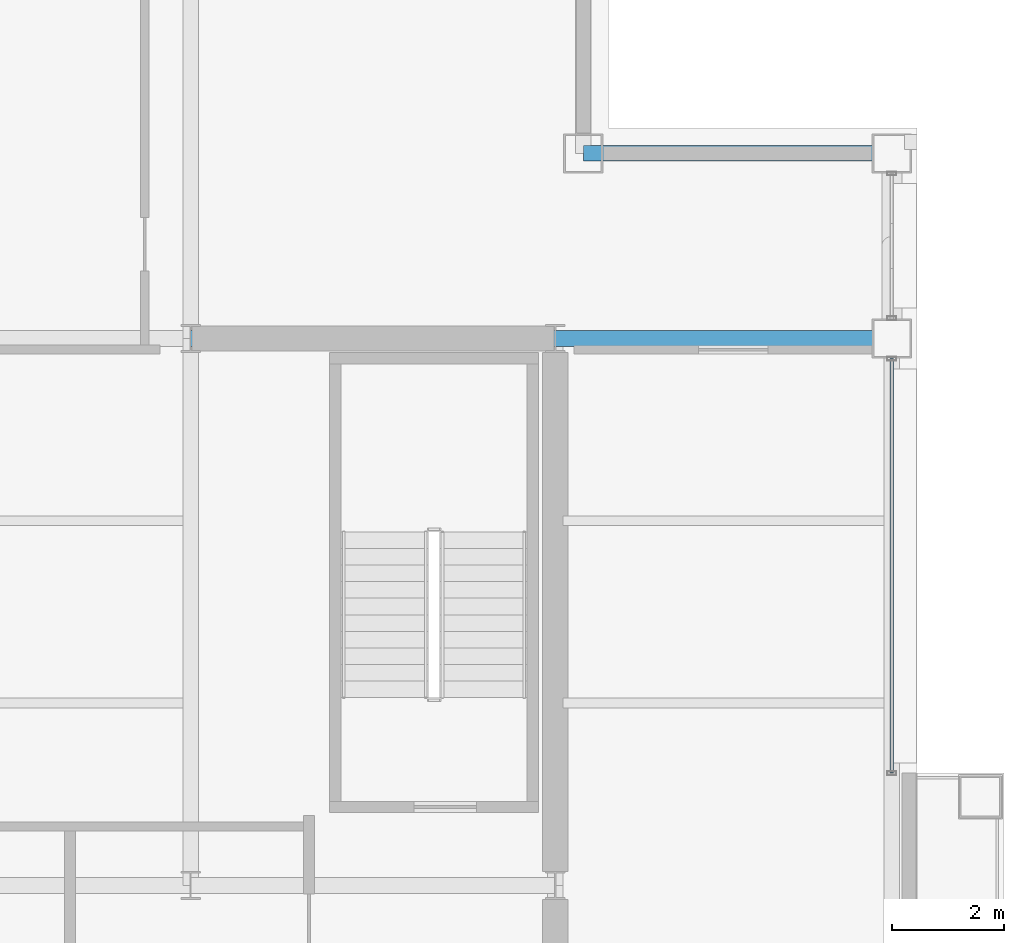
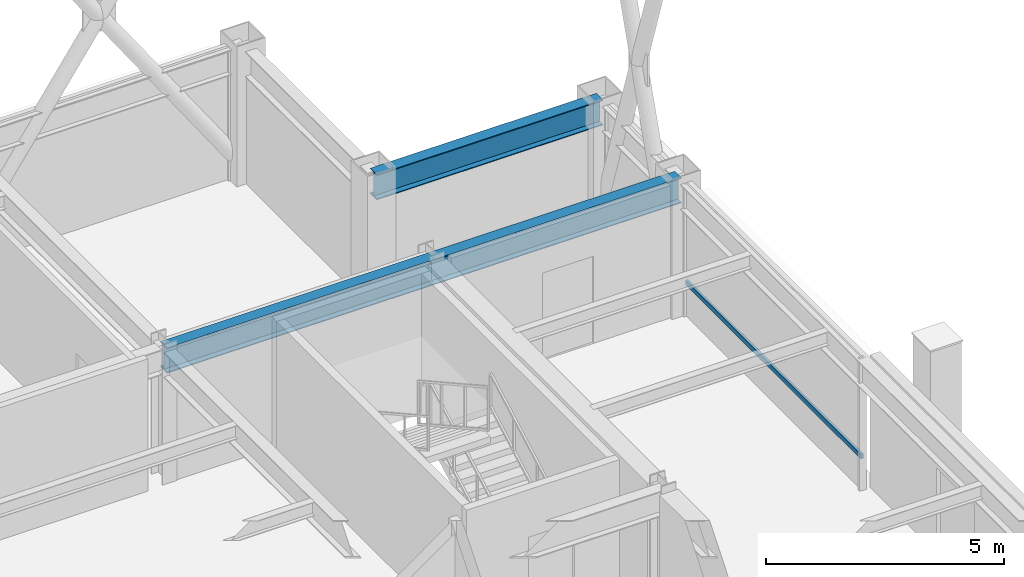
# One storey, part 19 of 33: 3 beams, 1 member, 1 element without a shape of its own.
"""IFC4 building model written with IfcOpenShell, lengths in metres."""

from ifc_helpers import new_model, si_unit, direction, frame, origin, origin_2d, place, context, subcontext, project, spatial, hollow_rectangle, i_section, extrude, material, layer, layer_set, material_profile, profile_set, type_object, element, aggregate, save


model = new_model("IFC4")

# Units and contexts
model_context = context("Model", 3, precision=1e-05, world=origin(), true_north=direction((0.0, 1.0)))
body_context = subcontext(model_context, "Body", "Model", "MODEL_VIEW")
ifc_project = project(units=[si_unit("LENGTHUNIT", "METRE"), si_unit("AREAUNIT", "SQUARE_METRE"), si_unit("VOLUMEUNIT", "CUBIC_METRE"), si_unit("PLANEANGLEUNIT", "RADIAN"), si_unit("MASSUNIT", "GRAM", prefix="KILO")], contexts=[model_context])

# Site, building, storey
site_placement = place(None, origin())
site = spatial("IfcSite", under=ifc_project, at=site_placement, CompositionType="ELEMENT")
building_placement = place(site_placement, origin())
building = spatial("IfcBuilding", under=site, at=building_placement, Name="Brelmoor Portico Tower", CompositionType="ELEMENT")
storey_placement = place(building_placement, frame((0.0, 0.0, 194.699951171875)))
storey = spatial("IfcBuildingStorey", under=building, at=storey_placement, Name="L51", CompositionType="ELEMENT", Elevation=194.699951171875)

# Beams
ifc_material_1 = material(Name="Steel Q355B", Category="steel")
ifc_material_profile_1 = material_profile(ifc_material_1, i_section(OverallWidth=0.280029296875, OverallDepth=0.64990234375, WebThickness=0.012939453125, FlangeThickness=0.02197265625, at=origin_2d()), Name="HN 650x280x13x22")
ifc_profile_set_1 = profile_set([ifc_material_profile_1], Name="Steel Q355B")
beam_type_1 = type_object("IfcBeamType", Name="BM-PG-650", PredefinedType="BEAM", material=ifc_profile_set_1)
beam_1_placement = place(storey_placement, frame((8.050048828125, 9.75, 3.074951171875), z_axis=(1.0, 0.0, 0.0), x_axis=(0.0, 1.0, 0.0)))
element("IfcBeam", 1, at=beam_1_placement, inside=storey, type_object=beam_type_1, Name="L51 Primary Floor Girder PG-22", PredefinedType="BEAM", context=body_context, shape_type="SweptSolid", body=[
    extrude(i_section(OverallWidth=0.280029296875, OverallDepth=0.64990234375, WebThickness=0.012939453125, FlangeThickness=0.02197265625, at=origin_2d()), origin(), (0.0, 0.0, 1.0), 6.5),
])
beam_2_placement = place(storey_placement, frame((14.550048828125, 9.75, 3.074951171875), z_axis=(1.0, 0.0, 0.0), x_axis=(0.0, 1.0, 0.0)))
element("IfcBeam", 2, at=beam_2_placement, inside=storey, type_object=beam_type_1, Name="L51 Primary Floor Girder PG-23", PredefinedType="BEAM", context=body_context, shape_type="SweptSolid", body=[
    extrude(i_section(OverallWidth=0.280029296875, OverallDepth=0.64990234375, WebThickness=0.012939453125, FlangeThickness=0.02197265625, at=origin_2d()), origin(), (0.0, 0.0, 1.0), 6.0),
])
ifc_material_profile_2 = material_profile(ifc_material_1, i_section(OverallWidth=0.280029296875, OverallDepth=0.64990234375, WebThickness=0.012939453125, FlangeThickness=0.02197265625, at=origin_2d()), Name="HN 650x280x13x22")
ifc_profile_set_2 = profile_set([ifc_material_profile_2], Name="Steel Q355B")
beam_type_2 = type_object("IfcBeamType", Name="BM-SP-650", PredefinedType="SPANDREL", material=ifc_profile_set_2)
beam_3_placement = place(storey_placement, frame((15.050048828125, 13.050048828125, 3.074951171875), z_axis=(1.0, 0.0, 0.0), x_axis=(0.0, 1.0, 0.0)))
element("IfcBeam", 3, at=beam_3_placement, inside=storey, type_object=beam_type_2, Name="L51 Perimeter Spandrel Beam SP-07", PredefinedType="SPANDREL", context=body_context, shape_type="SweptSolid", body=[
    extrude(i_section(OverallWidth=0.280029296875, OverallDepth=0.64990234375, WebThickness=0.012939453125, FlangeThickness=0.02197265625, at=origin_2d()), origin(), (0.0, 0.0, 1.0), 5.5),
])

# Curtain wall, member
ifc_material_2 = material(Name="Anodised Aluminium Alloy 6063-T6", Category="aluminium")
ifc_layer = layer(ifc_material_2, 0.179931640625)
ifc_layer_set = layer_set([ifc_layer], Name="Anodised Aluminium Alloy 6063-T6")
curtain_wall_type = type_object("IfcCurtainWallType", Name="CW-TOWER-Z3", PredefinedType="NOTDEFINED", material=ifc_layer_set)
curtain_wall_placement = place(storey_placement, origin())
curtain_wall = element("IfcCurtainWall", 4, at=curtain_wall_placement, inside=storey, type_object=curtain_wall_type, Name="L51 Curtain Wall CW-L51-4R-1", PredefinedType="NOTDEFINED")
ifc_material_profile_3 = material_profile(ifc_material_2, hollow_rectangle(XDim=0.06005859375, YDim=0.125, WallThickness=0.00341796875, at=origin_2d()), Name="ALU TRANSOM 60x125")
ifc_profile_set_3 = profile_set([ifc_material_profile_3], Name="Anodised Aluminium Alloy 6063-T6")
member_type = type_object("IfcMemberType", Name="MB-CW-TRAN-125", PredefinedType="USERDEFINED", material=ifc_profile_set_3)
member_placement = place(storey_placement, frame((20.550048828125, 2.0, 0.85009765625), z_axis=(0.0, 1.0, 0.0), x_axis=(-1.0, 0.0, 0.0)))
member = element("IfcMember", 5, at=member_placement, type_object=member_type, Name="CW-L51-4R-1 Transom 1-00", ObjectType="TRANSOM", PredefinedType="USERDEFINED", context=body_context, shape_type="SweptSolid", body=[
    extrude(hollow_rectangle(XDim=0.06005859375, YDim=0.125, WallThickness=0.00341796875, at=origin_2d()), origin(), (0.0, 0.0, 1.0), 7.389892578125),
])
aggregate(curtain_wall, [member])

save(model, "model.ifc")
